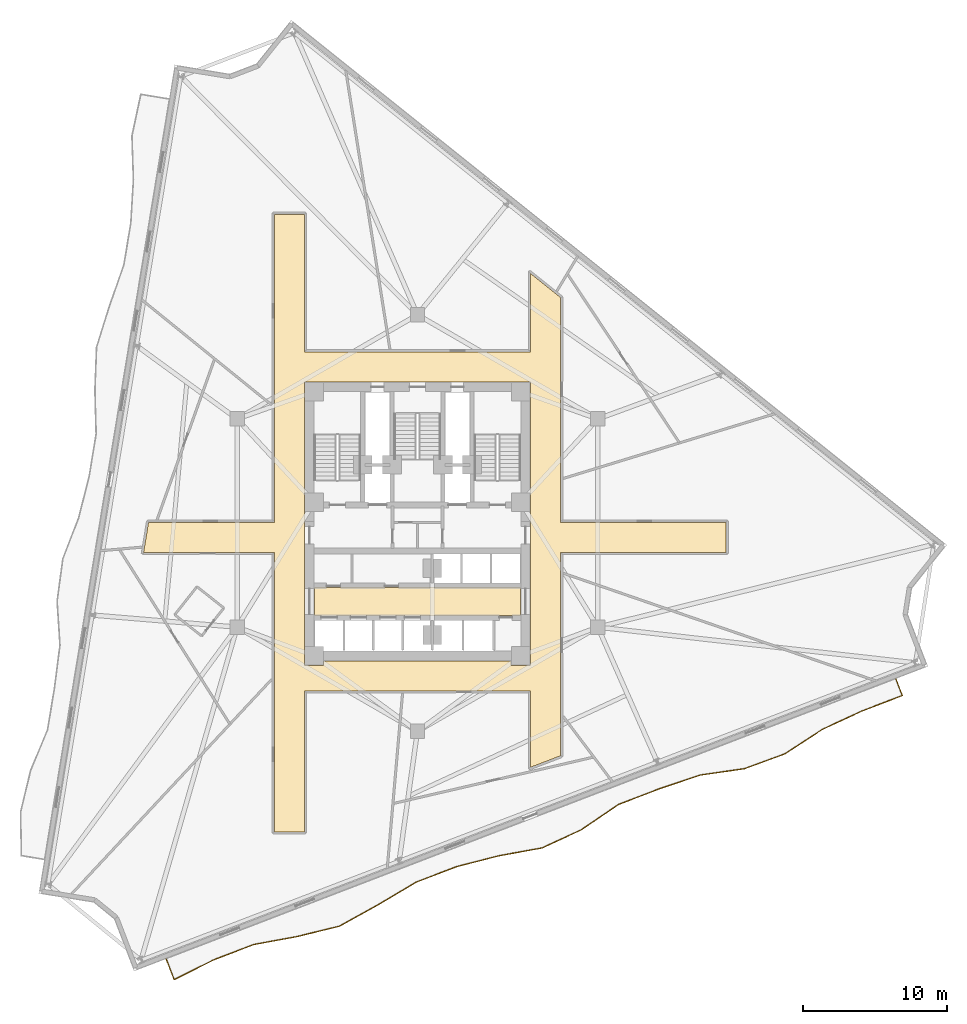
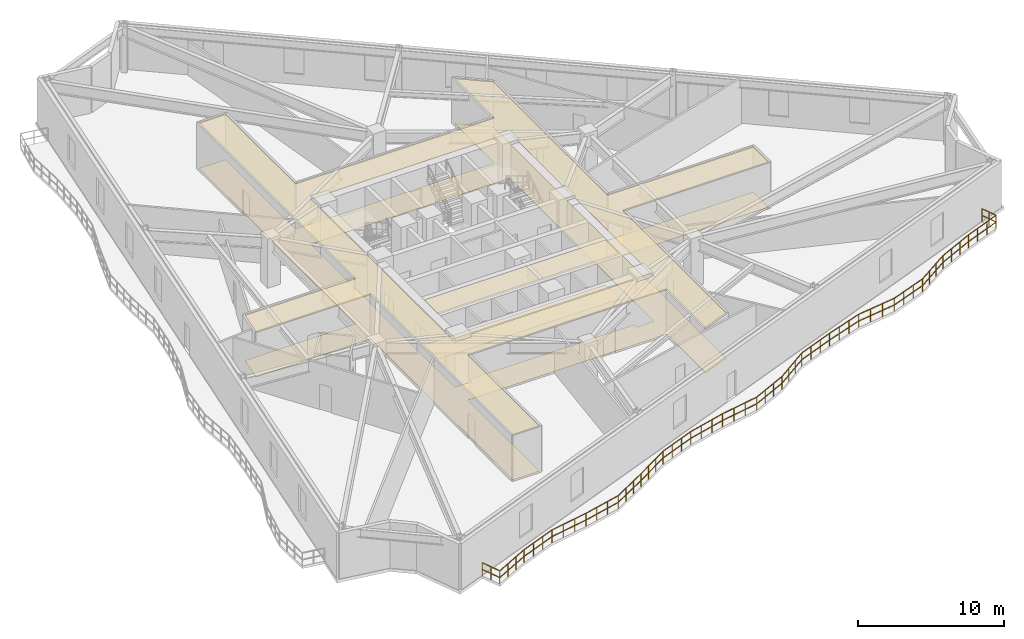
# One storey, part 8 of 10: 4 coverings, 1 railing.
"""IFC4 building model written with IfcOpenShell, lengths in metres."""

from ifc_helpers import new_model, si_unit, direction, frame, origin, origin_2d, place, context, subcontext, project, spatial, polyline, rectangle, outline, extrude, material, layer, layer_set, type_object, element, save


model = new_model("IFC4")

# Units and contexts
model_context = context("Model", 3, precision=1e-05, world=origin(), true_north=direction((0.0, 1.0)))
body_context = subcontext(model_context, "Body", "Model", "MODEL_VIEW")
ifc_project = project(units=[si_unit("LENGTHUNIT", "METRE"), si_unit("AREAUNIT", "SQUARE_METRE"), si_unit("VOLUMEUNIT", "CUBIC_METRE"), si_unit("PLANEANGLEUNIT", "RADIAN"), si_unit("MASSUNIT", "GRAM", prefix="KILO")], contexts=[model_context])

# Site, building, storey
site_placement = place(None, origin())
site = spatial("IfcSite", under=ifc_project, at=site_placement, CompositionType="ELEMENT")
building_placement = place(site_placement, origin())
building = spatial("IfcBuilding", under=site, at=building_placement, Name="Apsidion Concourse Tower", CompositionType="ELEMENT")
storey_placement = place(building_placement, frame((0.0, 0.0, 144.5)))
storey = spatial("IfcBuildingStorey", under=building, at=storey_placement, Name="L33", CompositionType="ELEMENT", Elevation=144.5)

# Coverings
ifc_material_1 = material(Name="Acoustic mineral fibre ceiling")
ifc_layer_1 = layer(ifc_material_1, 0.0400390625)
ifc_layer_set_1 = layer_set([ifc_layer_1], Name="Acoustic mineral fibre ceiling")
covering_type_1 = type_object("IfcCoveringType", Name="COV-CEIL-40", PredefinedType="CEILING", material=ifc_layer_set_1)
covering_1_placement = place(storey_placement, frame((0.0, 0.0, 3.75)))
element("IfcCovering", 1, at=covering_1_placement, inside=storey, type_object=covering_type_1, Name="L33 Acoustic Ceiling Grid 1", PredefinedType="CEILING", context=body_context, shape_type="SweptSolid", body=[
    extrude(outline(polyline([(-7.179931640625, -6.449951171875), (-7.179931640625, -4.47998046875), (7.179931640625, -4.47998046875), (7.179931640625, -6.449951171875), (-7.179931640625, -6.449951171875)])), origin(), (0.0, 0.0, 1.0), 0.0400390625),
])
covering_2_placement = place(storey_placement, frame((0.0, 0.0, 3.75)))
element("IfcCovering", 2, at=covering_2_placement, inside=storey, type_object=covering_type_1, Name="L33 Acoustic Ceiling Grid 2", PredefinedType="CEILING", context=body_context, shape_type="SweptSolid", body=[
    extrude(outline(polyline([(9.969970703125, -16.20458984375), (7.8701171875, -17.0107421875), (7.8701171875, -11.695068359375), (-7.8701171875, -11.695068359375), (-7.8701171875, -21.5), (-9.969970703125, -21.5), (-9.969970703125, -11.695068359375), (-9.969970703125, -2.050048828125), (-19.0703125, -2.050048828125), (-18.7255859375, 0.050048828125), (-9.969970703125, 0.050048828125), (-9.969970703125, 11.919921875), (-9.969970703125, 21.5), (-7.8701171875, 21.5), (-7.8701171875, 11.919921875), (7.8701171875, 11.919921875), (7.8701171875, 17.3798828125), (9.969970703125, 15.698974609375), (9.969970703125, 11.919921875), (9.969970703125, 0.050048828125), (21.5, 0.050048828125), (21.5, -2.050048828125), (9.969970703125, -2.050048828125), (9.969970703125, -11.695068359375), (9.969970703125, -16.20458984375)]), holes=[polyline([(7.8701171875, -8.60009765625), (7.8701171875, -2.050048828125), (7.8701171875, 0.050048828125), (7.8701171875, 0.800048828125), (7.8701171875, 2.10009765625), (7.8701171875, 8.5), (7.8701171875, 9.800048828125), (7.8701171875, 9.820068359375), (7.85009765625, 9.820068359375), (6.550048828125, 9.820068359375), (-6.550048828125, 9.820068359375), (-7.85009765625, 9.820068359375), (-7.8701171875, 9.820068359375), (-7.8701171875, 9.800048828125), (-7.8701171875, 8.5), (-7.8701171875, 2.10009765625), (-7.8701171875, 0.800048828125), (-7.8701171875, 0.050048828125), (-7.8701171875, -2.050048828125), (-7.8701171875, -8.60009765625), (-7.8701171875, -9.594970703125), (-7.8701171875, -9.89990234375), (-7.869873046875, -9.902099609375), (-7.86962890625, -9.90380859375), (-7.869140625, -9.90576171875), (-7.868408203125, -9.90771484375), (-7.86767578125, -9.909423828125), (-7.86669921875, -9.9111328125), (-7.865478515625, -9.91259765625), (-7.864013671875, -9.9140625), (-7.86279296875, -9.91552734375), (-7.861083984375, -9.91650390625), (-7.859375, -9.91748046875), (-7.857666015625, -9.91845703125), (-7.855712890625, -9.919189453125), (-7.85400390625, -9.919677734375), (-7.85205078125, -9.919921875), (-7.85009765625, -9.919921875), (-6.550048828125, -9.919921875), (-6.548095703125, -9.919921875), (-6.546142578125, -9.919677734375), (-6.544189453125, -9.919189453125), (-6.542236328125, -9.91845703125), (-6.54052734375, -9.91748046875), (-6.538818359375, -9.91650390625), (-6.537353515625, -9.91552734375), (-6.535888671875, -9.9140625), (-6.534423828125, -9.91259765625), (-6.533447265625, -9.9111328125), (-6.532470703125, -9.909423828125), (-6.531494140625, -9.90771484375), (-6.531005859375, -9.90576171875), (-6.530517578125, -9.90380859375), (-6.530029296875, -9.902099609375), (-6.530029296875, -9.89990234375), (-6.530029296875, -9.594970703125), (6.530029296875, -9.594970703125), (6.530029296875, -9.89990234375), (6.530029296875, -9.902099609375), (6.530517578125, -9.90380859375), (6.531005859375, -9.90576171875), (6.531494140625, -9.90771484375), (6.532470703125, -9.909423828125), (6.533447265625, -9.9111328125), (6.534423828125, -9.91259765625), (6.535888671875, -9.9140625), (6.537353515625, -9.91552734375), (6.538818359375, -9.91650390625), (6.54052734375, -9.91748046875), (6.542236328125, -9.91845703125), (6.544189453125, -9.919189453125), (6.546142578125, -9.919677734375), (6.548095703125, -9.919921875), (6.550048828125, -9.919921875), (7.85009765625, -9.919921875), (7.85205078125, -9.919921875), (7.85400390625, -9.919677734375), (7.855712890625, -9.919189453125), (7.857666015625, -9.91845703125), (7.859375, -9.91748046875), (7.861083984375, -9.91650390625), (7.86279296875, -9.91552734375), (7.864013671875, -9.9140625), (7.865478515625, -9.91259765625), (7.86669921875, -9.9111328125), (7.86767578125, -9.909423828125), (7.868408203125, -9.90771484375), (7.869140625, -9.90576171875), (7.86962890625, -9.90380859375), (7.869873046875, -9.902099609375), (7.8701171875, -9.89990234375), (7.8701171875, -9.594970703125), (7.8701171875, -8.60009765625)])]), origin(), (0.0, 0.0, 1.0), 0.0400390625),
])
ifc_material_2 = material(Name="Honed travertine floor finish", Category="masonry")
ifc_layer_2 = layer(ifc_material_2, 0.02001953125)
ifc_layer_set_2 = layer_set([ifc_layer_2], Name="Honed travertine floor finish")
covering_type_2 = type_object("IfcCoveringType", Name="COV-FLOR-20", PredefinedType="FLOORING", material=ifc_layer_set_2)
covering_3_placement = place(storey_placement, origin())
element("IfcCovering", 3, at=covering_3_placement, inside=storey, type_object=covering_type_2, Name="L33 Honed Travertine Floor Finish 1", PredefinedType="FLOORING", context=body_context, shape_type="SweptSolid", body=[
    extrude(outline(polyline([(-7.179931640625, -6.449951171875), (-7.179931640625, -4.47998046875), (7.179931640625, -4.47998046875), (7.179931640625, -6.449951171875), (-7.179931640625, -6.449951171875)])), origin(), (0.0, 0.0, 1.0), 0.02001953125),
])
covering_4_placement = place(storey_placement, origin())
element("IfcCovering", 4, at=covering_4_placement, inside=storey, type_object=covering_type_2, Name="L33 Honed Travertine Floor Finish 2", PredefinedType="FLOORING", context=body_context, shape_type="SweptSolid", body=[
    extrude(outline(polyline([(9.969970703125, -16.20458984375), (7.8701171875, -17.0107421875), (7.8701171875, -11.695068359375), (-7.8701171875, -11.695068359375), (-7.8701171875, -21.5), (-9.969970703125, -21.5), (-9.969970703125, -11.695068359375), (-9.969970703125, -2.050048828125), (-19.0703125, -2.050048828125), (-18.7255859375, 0.050048828125), (-9.969970703125, 0.050048828125), (-9.969970703125, 11.919921875), (-9.969970703125, 21.5), (-7.8701171875, 21.5), (-7.8701171875, 11.919921875), (7.8701171875, 11.919921875), (7.8701171875, 17.3798828125), (9.969970703125, 15.698974609375), (9.969970703125, 11.919921875), (9.969970703125, 0.050048828125), (21.5, 0.050048828125), (21.5, -2.050048828125), (9.969970703125, -2.050048828125), (9.969970703125, -11.695068359375), (9.969970703125, -16.20458984375)]), holes=[polyline([(7.8701171875, -8.60009765625), (7.8701171875, -2.050048828125), (7.8701171875, 0.050048828125), (7.8701171875, 0.800048828125), (7.8701171875, 2.10009765625), (7.8701171875, 8.5), (7.8701171875, 9.800048828125), (7.8701171875, 9.820068359375), (7.85009765625, 9.820068359375), (6.550048828125, 9.820068359375), (-6.550048828125, 9.820068359375), (-7.85009765625, 9.820068359375), (-7.8701171875, 9.820068359375), (-7.8701171875, 9.800048828125), (-7.8701171875, 8.5), (-7.8701171875, 2.10009765625), (-7.8701171875, 0.800048828125), (-7.8701171875, 0.050048828125), (-7.8701171875, -2.050048828125), (-7.8701171875, -8.60009765625), (-7.8701171875, -9.594970703125), (-7.8701171875, -9.89990234375), (-7.869873046875, -9.902099609375), (-7.86962890625, -9.90380859375), (-7.869140625, -9.90576171875), (-7.868408203125, -9.90771484375), (-7.86767578125, -9.909423828125), (-7.86669921875, -9.9111328125), (-7.865478515625, -9.91259765625), (-7.864013671875, -9.9140625), (-7.86279296875, -9.91552734375), (-7.861083984375, -9.91650390625), (-7.859375, -9.91748046875), (-7.857666015625, -9.91845703125), (-7.855712890625, -9.919189453125), (-7.85400390625, -9.919677734375), (-7.85205078125, -9.919921875), (-7.85009765625, -9.919921875), (-6.550048828125, -9.919921875), (-6.548095703125, -9.919921875), (-6.546142578125, -9.919677734375), (-6.544189453125, -9.919189453125), (-6.542236328125, -9.91845703125), (-6.54052734375, -9.91748046875), (-6.538818359375, -9.91650390625), (-6.537353515625, -9.91552734375), (-6.535888671875, -9.9140625), (-6.534423828125, -9.91259765625), (-6.533447265625, -9.9111328125), (-6.532470703125, -9.909423828125), (-6.531494140625, -9.90771484375), (-6.531005859375, -9.90576171875), (-6.530517578125, -9.90380859375), (-6.530029296875, -9.902099609375), (-6.530029296875, -9.89990234375), (-6.530029296875, -9.594970703125), (6.530029296875, -9.594970703125), (6.530029296875, -9.89990234375), (6.530029296875, -9.902099609375), (6.530517578125, -9.90380859375), (6.531005859375, -9.90576171875), (6.531494140625, -9.90771484375), (6.532470703125, -9.909423828125), (6.533447265625, -9.9111328125), (6.534423828125, -9.91259765625), (6.535888671875, -9.9140625), (6.537353515625, -9.91552734375), (6.538818359375, -9.91650390625), (6.54052734375, -9.91748046875), (6.542236328125, -9.91845703125), (6.544189453125, -9.919189453125), (6.546142578125, -9.919677734375), (6.548095703125, -9.919921875), (6.550048828125, -9.919921875), (7.85009765625, -9.919921875), (7.85205078125, -9.919921875), (7.85400390625, -9.919677734375), (7.855712890625, -9.919189453125), (7.857666015625, -9.91845703125), (7.859375, -9.91748046875), (7.861083984375, -9.91650390625), (7.86279296875, -9.91552734375), (7.864013671875, -9.9140625), (7.865478515625, -9.91259765625), (7.86669921875, -9.9111328125), (7.86767578125, -9.909423828125), (7.868408203125, -9.90771484375), (7.869140625, -9.90576171875), (7.86962890625, -9.90380859375), (7.869873046875, -9.902099609375), (7.8701171875, -9.89990234375), (7.8701171875, -9.594970703125), (7.8701171875, -8.60009765625)])]), origin(), (0.0, 0.0, 1.0), 0.02001953125),
])

# Railing
ifc_material_3 = material(Name="Brushed stainless steel 316", Category="steel")
railing_type = type_object("IfcRailingType", Name="RL-BAL-1120", PredefinedType="BALUSTRADE", material=ifc_material_3)
railing_placement = place(storey_placement, frame((33.314208984375, -10.847900390625, 0.0)))
element("IfcRailing", 5, at=railing_placement, inside=storey, type_object=railing_type, Name="L33 Face 2 Rippling Balcony Balustrade", PredefinedType="BALUSTRADE", context=body_context, shape_type="SweptSolid", body=[
    extrude(rectangle(XDim=0.048095703125, YDim=0.048095703125, at=origin_2d()), frame((0.0, 0.0, 1.09619140625), z_axis=(0.358390063807, -0.933571937327, 0.0), x_axis=(0.933571937327, 0.358390063807, 0.0)), (0.0, 0.0, 1.0), 1.25),
    extrude(rectangle(XDim=0.048095703125, YDim=0.048095703125, at=origin_2d()), frame((0.0, 0.0, 0.5361328125), z_axis=(0.358390063807, -0.933571937327, 0.0), x_axis=(0.933571937327, 0.358390063807, 0.0)), (0.0, 0.0, 1.0), 1.25),
    extrude(rectangle(XDim=0.048095703125, YDim=0.048095703125, at=origin_2d()), frame((0.447998046875, -1.1669921875, 1.09619140625), z_axis=(-0.93357015714, -0.35839470099, 0.0), x_axis=(0.35839470099, -0.93357015714, 0.0)), (0.0, 0.0, 1.0), 3.02392578125),
    extrude(rectangle(XDim=0.048095703125, YDim=0.048095703125, at=origin_2d()), frame((0.447998046875, -1.1669921875, 0.5361328125), z_axis=(-0.93357015714, -0.35839470099, 0.0), x_axis=(0.35839470099, -0.93357015714, 0.0)), (0.0, 0.0, 1.0), 3.02392578125),
    extrude(rectangle(XDim=0.048095703125, YDim=0.048095703125, at=origin_2d()), frame((-2.375, -2.250732421875, 1.09619140625), z_axis=(-0.90743050259, -0.420202192961, 0.0), x_axis=(0.420202192961, -0.90743050259, 0.0)), (0.0, 0.0, 1.0), 3.030517578125),
    extrude(rectangle(XDim=0.048095703125, YDim=0.048095703125, at=origin_2d()), frame((-2.375, -2.250732421875, 0.5361328125), z_axis=(-0.90743050259, -0.420202192961, 0.0), x_axis=(0.420202192961, -0.90743050259, 0.0)), (0.0, 0.0, 1.0), 3.030517578125),
    extrude(rectangle(XDim=0.048095703125, YDim=0.048095703125, at=origin_2d()), frame((-5.125, -3.524169921875, 1.09619140625), z_axis=(-0.836286477831, -0.548292738414, 0.0), x_axis=(0.548292738414, -0.836286477831, 0.0)), (0.0, 0.0, 1.0), 3.09423828125),
    extrude(rectangle(XDim=0.048095703125, YDim=0.048095703125, at=origin_2d()), frame((-5.125, -3.524169921875, 0.5361328125), z_axis=(-0.836286477831, -0.548292738414, 0.0), x_axis=(0.548292738414, -0.836286477831, 0.0)), (0.0, 0.0, 1.0), 3.09423828125),
    extrude(rectangle(XDim=0.048095703125, YDim=0.048095703125, at=origin_2d()), frame((-7.712646484375, -5.220703125, 1.09619140625), z_axis=(-0.938735334289, -0.344638901108, 0.0), x_axis=(0.344638901108, -0.938735334289, 0.0)), (0.0, 0.0, 1.0), 3.024169921875),
    extrude(rectangle(XDim=0.048095703125, YDim=0.048095703125, at=origin_2d()), frame((-7.712646484375, -5.220703125, 0.5361328125), z_axis=(-0.938735334289, -0.344638901108, 0.0), x_axis=(0.344638901108, -0.938735334289, 0.0)), (0.0, 0.0, 1.0), 3.024169921875),
    extrude(rectangle(XDim=0.048095703125, YDim=0.048095703125, at=origin_2d()), frame((-10.551513671875, -6.262939453125, 1.09619140625), z_axis=(-0.989899050296, -0.1417740111, 0.0), x_axis=(0.1417740111, -0.989899050296, 0.0)), (0.0, 0.0, 1.0), 3.101318359375),
    extrude(rectangle(XDim=0.048095703125, YDim=0.048095703125, at=origin_2d()), frame((-10.551513671875, -6.262939453125, 0.5361328125), z_axis=(-0.989899050296, -0.1417740111, 0.0), x_axis=(0.1417740111, -0.989899050296, 0.0)), (0.0, 0.0, 1.0), 3.101318359375),
    extrude(rectangle(XDim=0.048095703125, YDim=0.048095703125, at=origin_2d()), frame((-13.62158203125, -6.70263671875, 1.09619140625), z_axis=(-0.947678192867, -0.319227258804, 0.0), x_axis=(0.319227258804, -0.947678192867, 0.0)), (0.0, 0.0, 1.0), 3.0263671875),
    extrude(rectangle(XDim=0.048095703125, YDim=0.048095703125, at=origin_2d()), frame((-13.62158203125, -6.70263671875, 0.5361328125), z_axis=(-0.947678192867, -0.319227258804, 0.0), x_axis=(0.319227258804, -0.947678192867, 0.0)), (0.0, 0.0, 1.0), 3.0263671875),
    extrude(rectangle(XDim=0.048095703125, YDim=0.048095703125, at=origin_2d()), frame((-16.489501953125, -7.668701171875, 1.09619140625), z_axis=(-0.93357015714, -0.35839470099, 0.0), x_axis=(0.35839470099, -0.93357015714, 0.0)), (0.0, 0.0, 1.0), 3.02392578125),
    extrude(rectangle(XDim=0.048095703125, YDim=0.048095703125, at=origin_2d()), frame((-16.489501953125, -7.668701171875, 0.5361328125), z_axis=(-0.93357015714, -0.35839470099, 0.0), x_axis=(0.35839470099, -0.93357015714, 0.0)), (0.0, 0.0, 1.0), 3.02392578125),
    extrude(rectangle(XDim=0.048095703125, YDim=0.048095703125, at=origin_2d()), frame((-19.3125, -8.75244140625, 1.09619140625), z_axis=(-0.826104312191, -0.563517227224, 0.0), x_axis=(0.563517227224, -0.826104312191, 0.0)), (0.0, 0.0, 1.0), 3.107177734375),
    extrude(rectangle(XDim=0.048095703125, YDim=0.048095703125, at=origin_2d()), frame((-19.3125, -8.75244140625, 0.5361328125), z_axis=(-0.826104312191, -0.563517227224, 0.0), x_axis=(0.563517227224, -0.826104312191, 0.0)), (0.0, 0.0, 1.0), 3.107177734375),
    extrude(rectangle(XDim=0.048095703125, YDim=0.048095703125, at=origin_2d()), frame((-21.87939453125, -10.50341796875, 1.09619140625), z_axis=(-0.907279121249, -0.420528948048, 0.0), x_axis=(0.420528948048, -0.907279121249, 0.0)), (0.0, 0.0, 1.0), 3.030517578125),
    extrude(rectangle(XDim=0.048095703125, YDim=0.048095703125, at=origin_2d()), frame((-21.87939453125, -10.50341796875, 0.5361328125), z_axis=(-0.907279121249, -0.420528948048, 0.0), x_axis=(0.420528948048, -0.907279121249, 0.0)), (0.0, 0.0, 1.0), 3.030517578125),
    extrude(rectangle(XDim=0.048095703125, YDim=0.048095703125, at=origin_2d()), frame((-24.62890625, -11.77783203125, 1.09619140625), z_axis=(-0.983852133865, -0.178983179905, 0.0), x_axis=(0.178983179905, -0.983852133865, 0.0)), (0.0, 0.0, 1.0), 3.077392578125),
    extrude(rectangle(XDim=0.048095703125, YDim=0.048095703125, at=origin_2d()), frame((-24.62890625, -11.77783203125, 0.5361328125), z_axis=(-0.983852133865, -0.178983179905, 0.0), x_axis=(0.178983179905, -0.983852133865, 0.0)), (0.0, 0.0, 1.0), 3.077392578125),
    extrude(rectangle(XDim=0.048095703125, YDim=0.048095703125, at=origin_2d()), frame((-27.656494140625, -12.32861328125, 1.09619140625), z_axis=(-0.968468606701, -0.249135621369, 0.0), x_axis=(0.249135621369, -0.968468606701, 0.0)), (0.0, 0.0, 1.0), 3.043701171875),
    extrude(rectangle(XDim=0.048095703125, YDim=0.048095703125, at=origin_2d()), frame((-27.656494140625, -12.32861328125, 0.5361328125), z_axis=(-0.968468606701, -0.249135621369, 0.0), x_axis=(0.249135621369, -0.968468606701, 0.0)), (0.0, 0.0, 1.0), 3.043701171875),
    extrude(rectangle(XDim=0.048095703125, YDim=0.048095703125, at=origin_2d()), frame((-30.604248046875, -13.0869140625, 1.09619140625), z_axis=(-0.933597169026, -0.358324330722, 0.0), x_axis=(0.358324330722, -0.933597169026, 0.0)), (0.0, 0.0, 1.0), 3.023681640625),
    extrude(rectangle(XDim=0.048095703125, YDim=0.048095703125, at=origin_2d()), frame((-30.604248046875, -13.0869140625, 0.5361328125), z_axis=(-0.933597169026, -0.358324330722, 0.0), x_axis=(0.358324330722, -0.933597169026, 0.0)), (0.0, 0.0, 1.0), 3.023681640625),
    extrude(rectangle(XDim=0.048095703125, YDim=0.048095703125, at=origin_2d()), frame((-33.42724609375, -14.17041015625, 1.09619140625), z_axis=(-0.859257078276, -0.511544009282, 0.0), x_axis=(0.511544009282, -0.859257078276, 0.0)), (0.0, 0.0, 1.0), 3.068359375),
    extrude(rectangle(XDim=0.048095703125, YDim=0.048095703125, at=origin_2d()), frame((-33.42724609375, -14.17041015625, 0.5361328125), z_axis=(-0.859257078276, -0.511544009282, 0.0), x_axis=(0.511544009282, -0.859257078276, 0.0)), (0.0, 0.0, 1.0), 3.068359375),
    extrude(rectangle(XDim=0.048095703125, YDim=0.048095703125, at=origin_2d()), frame((-36.063720703125, -15.739990234375, 1.09619140625), z_axis=(-0.873949813026, -0.486016177005, 0.0), x_axis=(0.486016177005, -0.873949813026, 0.0)), (0.0, 0.0, 1.0), 3.05419921875),
    extrude(rectangle(XDim=0.048095703125, YDim=0.048095703125, at=origin_2d()), frame((-36.063720703125, -15.739990234375, 0.5361328125), z_axis=(-0.873949813026, -0.486016177005, 0.0), x_axis=(0.486016177005, -0.873949813026, 0.0)), (0.0, 0.0, 1.0), 3.05419921875),
    extrude(rectangle(XDim=0.048095703125, YDim=0.048095703125, at=origin_2d()), frame((-38.73291015625, -17.224365234375, 1.09619140625), z_axis=(-0.971309018787, -0.237820920071, 0.0), x_axis=(0.237820920071, -0.971309018787, 0.0)), (0.0, 0.0, 1.0), 3.0478515625),
    extrude(rectangle(XDim=0.048095703125, YDim=0.048095703125, at=origin_2d()), frame((-38.73291015625, -17.224365234375, 0.5361328125), z_axis=(-0.971309018787, -0.237820920071, 0.0), x_axis=(0.237820920071, -0.971309018787, 0.0)), (0.0, 0.0, 1.0), 3.0478515625),
    extrude(rectangle(XDim=0.048095703125, YDim=0.048095703125, at=origin_2d()), frame((-41.693359375, -17.94921875, 1.09619140625), z_axis=(-0.983550907166, -0.180631151836, 0.0), x_axis=(0.180631151836, -0.983550907166, 0.0)), (0.0, 0.0, 1.0), 3.076171875),
    extrude(rectangle(XDim=0.048095703125, YDim=0.048095703125, at=origin_2d()), frame((-41.693359375, -17.94921875, 0.5361328125), z_axis=(-0.983550907166, -0.180631151836, 0.0), x_axis=(0.180631151836, -0.983550907166, 0.0)), (0.0, 0.0, 1.0), 3.076171875),
    extrude(rectangle(XDim=0.048095703125, YDim=0.048095703125, at=origin_2d()), frame((-44.718994140625, -18.5048828125, 1.09619140625), z_axis=(-0.93357015714, -0.35839470099, 0.0), x_axis=(0.35839470099, -0.93357015714, 0.0)), (0.0, 0.0, 1.0), 3.02392578125),
    extrude(rectangle(XDim=0.048095703125, YDim=0.048095703125, at=origin_2d()), frame((-44.718994140625, -18.5048828125, 0.5361328125), z_axis=(-0.93357015714, -0.35839470099, 0.0), x_axis=(0.35839470099, -0.93357015714, 0.0)), (0.0, 0.0, 1.0), 3.02392578125),
    extrude(rectangle(XDim=0.048095703125, YDim=0.048095703125, at=origin_2d()), frame((-47.5419921875, -19.588623046875, 1.09619140625), z_axis=(-0.89362227482, -0.44881981902, 0.0), x_axis=(0.44881981902, -0.89362227482, 0.0)), (0.0, 0.0, 1.0), 3.03857421875),
    extrude(rectangle(XDim=0.048095703125, YDim=0.048095703125, at=origin_2d()), frame((-47.5419921875, -19.588623046875, 0.5361328125), z_axis=(-0.89362227482, -0.44881981902, 0.0), x_axis=(0.44881981902, -0.89362227482, 0.0)), (0.0, 0.0, 1.0), 3.03857421875),
    extrude(rectangle(XDim=0.048095703125, YDim=0.048095703125, at=origin_2d()), frame((-50.25732421875, -20.952392578125, 1.09619140625), z_axis=(-0.35834569059, 0.933588970605, 0.0), x_axis=(-0.933588970605, -0.35834569059, 0.0)), (0.0, 0.0, 1.0), 1.550048828125),
    extrude(rectangle(XDim=0.048095703125, YDim=0.048095703125, at=origin_2d()), frame((-50.25732421875, -20.952392578125, 0.5361328125), z_axis=(-0.35834569059, 0.933588970605, 0.0), x_axis=(-0.933588970605, -0.35834569059, 0.0)), (0.0, 0.0, 1.0), 1.550048828125),
    extrude(rectangle(XDim=0.0419921875, YDim=0.0419921875, at=origin_2d()), origin(), (0.0, 0.0, 1.0), 1.072021484375),
    extrude(rectangle(XDim=0.0419921875, YDim=0.0419921875, at=origin_2d()), frame((0.22412109375, -0.58349609375, 0.0)), (0.0, 0.0, 1.0), 1.072021484375),
    extrude(rectangle(XDim=0.0419921875, YDim=0.0419921875, at=origin_2d()), frame((0.447998046875, -1.1669921875, 0.0)), (0.0, 0.0, 1.0), 1.072021484375),
    extrude(rectangle(XDim=0.0419921875, YDim=0.0419921875, at=origin_2d()), frame((-0.492919921875, -1.5283203125, 0.0)), (0.0, 0.0, 1.0), 1.072021484375),
    extrude(rectangle(XDim=0.0419921875, YDim=0.0419921875, at=origin_2d()), frame((-1.43408203125, -1.889404296875, 0.0)), (0.0, 0.0, 1.0), 1.072021484375),
    extrude(rectangle(XDim=0.0419921875, YDim=0.0419921875, at=origin_2d()), frame((-2.375, -2.250732421875, 0.0)), (0.0, 0.0, 1.0), 1.072021484375),
    extrude(rectangle(XDim=0.0419921875, YDim=0.0419921875, at=origin_2d()), frame((-3.291748046875, -2.67529296875, 0.0)), (0.0, 0.0, 1.0), 1.072021484375),
    extrude(rectangle(XDim=0.0419921875, YDim=0.0419921875, at=origin_2d()), frame((-4.208251953125, -3.099609375, 0.0)), (0.0, 0.0, 1.0), 1.072021484375),
    extrude(rectangle(XDim=0.0419921875, YDim=0.0419921875, at=origin_2d()), frame((-5.125, -3.524169921875, 0.0)), (0.0, 0.0, 1.0), 1.072021484375),
    extrude(rectangle(XDim=0.0419921875, YDim=0.0419921875, at=origin_2d()), frame((-5.987548828125, -4.089599609375, 0.0)), (0.0, 0.0, 1.0), 1.072021484375),
    extrude(rectangle(XDim=0.0419921875, YDim=0.0419921875, at=origin_2d()), frame((-6.85009765625, -4.6552734375, 0.0)), (0.0, 0.0, 1.0), 1.072021484375),
    extrude(rectangle(XDim=0.0419921875, YDim=0.0419921875, at=origin_2d()), frame((-7.712646484375, -5.220703125, 0.0)), (0.0, 0.0, 1.0), 1.072021484375),
    extrude(rectangle(XDim=0.0419921875, YDim=0.0419921875, at=origin_2d()), frame((-8.658935546875, -5.568115234375, 0.0)), (0.0, 0.0, 1.0), 1.072021484375),
    extrude(rectangle(XDim=0.0419921875, YDim=0.0419921875, at=origin_2d()), frame((-9.605224609375, -5.91552734375, 0.0)), (0.0, 0.0, 1.0), 1.072021484375),
    extrude(rectangle(XDim=0.0419921875, YDim=0.0419921875, at=origin_2d()), frame((-10.551513671875, -6.262939453125, 0.0)), (0.0, 0.0, 1.0), 1.072021484375),
    extrude(rectangle(XDim=0.0419921875, YDim=0.0419921875, at=origin_2d()), frame((-11.574951171875, -6.409423828125, 0.0)), (0.0, 0.0, 1.0), 1.072021484375),
    extrude(rectangle(XDim=0.0419921875, YDim=0.0419921875, at=origin_2d()), frame((-12.59814453125, -6.55615234375, 0.0)), (0.0, 0.0, 1.0), 1.072021484375),
    extrude(rectangle(XDim=0.0419921875, YDim=0.0419921875, at=origin_2d()), frame((-13.62158203125, -6.70263671875, 0.0)), (0.0, 0.0, 1.0), 1.072021484375),
    extrude(rectangle(XDim=0.0419921875, YDim=0.0419921875, at=origin_2d()), frame((-14.57763671875, -7.024658203125, 0.0)), (0.0, 0.0, 1.0), 1.072021484375),
    extrude(rectangle(XDim=0.0419921875, YDim=0.0419921875, at=origin_2d()), frame((-15.533447265625, -7.3466796875, 0.0)), (0.0, 0.0, 1.0), 1.072021484375),
    extrude(rectangle(XDim=0.0419921875, YDim=0.0419921875, at=origin_2d()), frame((-16.489501953125, -7.668701171875, 0.0)), (0.0, 0.0, 1.0), 1.072021484375),
    extrude(rectangle(XDim=0.0419921875, YDim=0.0419921875, at=origin_2d()), frame((-17.430419921875, -8.030029296875, 0.0)), (0.0, 0.0, 1.0), 1.072021484375),
    extrude(rectangle(XDim=0.0419921875, YDim=0.0419921875, at=origin_2d()), frame((-18.37158203125, -8.39111328125, 0.0)), (0.0, 0.0, 1.0), 1.072021484375),
    extrude(rectangle(XDim=0.0419921875, YDim=0.0419921875, at=origin_2d()), frame((-19.3125, -8.75244140625, 0.0)), (0.0, 0.0, 1.0), 1.072021484375),
    extrude(rectangle(XDim=0.0419921875, YDim=0.0419921875, at=origin_2d()), frame((-20.168212890625, -9.336181640625, 0.0)), (0.0, 0.0, 1.0), 1.072021484375),
    extrude(rectangle(XDim=0.0419921875, YDim=0.0419921875, at=origin_2d()), frame((-21.023681640625, -9.919677734375, 0.0)), (0.0, 0.0, 1.0), 1.072021484375),
    extrude(rectangle(XDim=0.0419921875, YDim=0.0419921875, at=origin_2d()), frame((-21.87939453125, -10.50341796875, 0.0)), (0.0, 0.0, 1.0), 1.072021484375),
    extrude(rectangle(XDim=0.0419921875, YDim=0.0419921875, at=origin_2d()), frame((-22.7958984375, -10.92822265625, 0.0)), (0.0, 0.0, 1.0), 1.072021484375),
    extrude(rectangle(XDim=0.0419921875, YDim=0.0419921875, at=origin_2d()), frame((-23.71240234375, -11.35302734375, 0.0)), (0.0, 0.0, 1.0), 1.072021484375),
    extrude(rectangle(XDim=0.0419921875, YDim=0.0419921875, at=origin_2d()), frame((-24.62890625, -11.77783203125, 0.0)), (0.0, 0.0, 1.0), 1.072021484375),
    extrude(rectangle(XDim=0.0419921875, YDim=0.0419921875, at=origin_2d()), frame((-25.63818359375, -11.96142578125, 0.0)), (0.0, 0.0, 1.0), 1.072021484375),
    extrude(rectangle(XDim=0.0419921875, YDim=0.0419921875, at=origin_2d()), frame((-26.647216796875, -12.14501953125, 0.0)), (0.0, 0.0, 1.0), 1.072021484375),
    extrude(rectangle(XDim=0.0419921875, YDim=0.0419921875, at=origin_2d()), frame((-27.656494140625, -12.32861328125, 0.0)), (0.0, 0.0, 1.0), 1.072021484375),
    extrude(rectangle(XDim=0.0419921875, YDim=0.0419921875, at=origin_2d()), frame((-28.63916015625, -12.581298828125, 0.0)), (0.0, 0.0, 1.0), 1.072021484375),
    extrude(rectangle(XDim=0.0419921875, YDim=0.0419921875, at=origin_2d()), frame((-29.62158203125, -12.834228515625, 0.0)), (0.0, 0.0, 1.0), 1.072021484375),
    extrude(rectangle(XDim=0.0419921875, YDim=0.0419921875, at=origin_2d()), frame((-30.604248046875, -13.0869140625, 0.0)), (0.0, 0.0, 1.0), 1.072021484375),
    extrude(rectangle(XDim=0.0419921875, YDim=0.0419921875, at=origin_2d()), frame((-31.545166015625, -13.447998046875, 0.0)), (0.0, 0.0, 1.0), 1.072021484375),
    extrude(rectangle(XDim=0.0419921875, YDim=0.0419921875, at=origin_2d()), frame((-32.486328125, -13.809326171875, 0.0)), (0.0, 0.0, 1.0), 1.072021484375),
    extrude(rectangle(XDim=0.0419921875, YDim=0.0419921875, at=origin_2d()), frame((-33.42724609375, -14.17041015625, 0.0)), (0.0, 0.0, 1.0), 1.072021484375),
    extrude(rectangle(XDim=0.0419921875, YDim=0.0419921875, at=origin_2d()), frame((-34.30615234375, -14.693603515625, 0.0)), (0.0, 0.0, 1.0), 1.072021484375),
    extrude(rectangle(XDim=0.0419921875, YDim=0.0419921875, at=origin_2d()), frame((-35.184814453125, -15.216796875, 0.0)), (0.0, 0.0, 1.0), 1.072021484375),
    extrude(rectangle(XDim=0.0419921875, YDim=0.0419921875, at=origin_2d()), frame((-36.063720703125, -15.739990234375, 0.0)), (0.0, 0.0, 1.0), 1.072021484375),
    extrude(rectangle(XDim=0.0419921875, YDim=0.0419921875, at=origin_2d()), frame((-36.953369140625, -16.23486328125, 0.0)), (0.0, 0.0, 1.0), 1.072021484375),
    extrude(rectangle(XDim=0.0419921875, YDim=0.0419921875, at=origin_2d()), frame((-37.84326171875, -16.7294921875, 0.0)), (0.0, 0.0, 1.0), 1.072021484375),
    extrude(rectangle(XDim=0.0419921875, YDim=0.0419921875, at=origin_2d()), frame((-38.73291015625, -17.224365234375, 0.0)), (0.0, 0.0, 1.0), 1.072021484375),
    extrude(rectangle(XDim=0.0419921875, YDim=0.0419921875, at=origin_2d()), frame((-39.7197265625, -17.466064453125, 0.0)), (0.0, 0.0, 1.0), 1.072021484375),
    extrude(rectangle(XDim=0.0419921875, YDim=0.0419921875, at=origin_2d()), frame((-40.70654296875, -17.70751953125, 0.0)), (0.0, 0.0, 1.0), 1.072021484375),
    extrude(rectangle(XDim=0.0419921875, YDim=0.0419921875, at=origin_2d()), frame((-41.693359375, -17.94921875, 0.0)), (0.0, 0.0, 1.0), 1.072021484375),
    extrude(rectangle(XDim=0.0419921875, YDim=0.0419921875, at=origin_2d()), frame((-42.701904296875, -18.134521484375, 0.0)), (0.0, 0.0, 1.0), 1.072021484375),
    extrude(rectangle(XDim=0.0419921875, YDim=0.0419921875, at=origin_2d()), frame((-43.71044921875, -18.319580078125, 0.0)), (0.0, 0.0, 1.0), 1.072021484375),
    extrude(rectangle(XDim=0.0419921875, YDim=0.0419921875, at=origin_2d()), frame((-44.718994140625, -18.5048828125, 0.0)), (0.0, 0.0, 1.0), 1.072021484375),
    extrude(rectangle(XDim=0.0419921875, YDim=0.0419921875, at=origin_2d()), frame((-45.659912109375, -18.8662109375, 0.0)), (0.0, 0.0, 1.0), 1.072021484375),
    extrude(rectangle(XDim=0.0419921875, YDim=0.0419921875, at=origin_2d()), frame((-46.60107421875, -19.227294921875, 0.0)), (0.0, 0.0, 1.0), 1.072021484375),
    extrude(rectangle(XDim=0.0419921875, YDim=0.0419921875, at=origin_2d()), frame((-47.5419921875, -19.588623046875, 0.0)), (0.0, 0.0, 1.0), 1.072021484375),
    extrude(rectangle(XDim=0.0419921875, YDim=0.0419921875, at=origin_2d()), frame((-48.447021484375, -20.043212890625, 0.0)), (0.0, 0.0, 1.0), 1.072021484375),
    extrude(rectangle(XDim=0.0419921875, YDim=0.0419921875, at=origin_2d()), frame((-49.352294921875, -20.497802734375, 0.0)), (0.0, 0.0, 1.0), 1.072021484375),
    extrude(rectangle(XDim=0.0419921875, YDim=0.0419921875, at=origin_2d()), frame((-50.25732421875, -20.952392578125, 0.0)), (0.0, 0.0, 1.0), 1.072021484375),
    extrude(rectangle(XDim=0.0419921875, YDim=0.0419921875, at=origin_2d()), frame((-50.53515625, -20.22900390625, 0.0)), (0.0, 0.0, 1.0), 1.072021484375),
    extrude(rectangle(XDim=0.0419921875, YDim=0.0419921875, at=origin_2d()), frame((-50.812744140625, -19.50537109375, 0.0)), (0.0, 0.0, 1.0), 1.072021484375),
])

save(model, "model.ifc")
